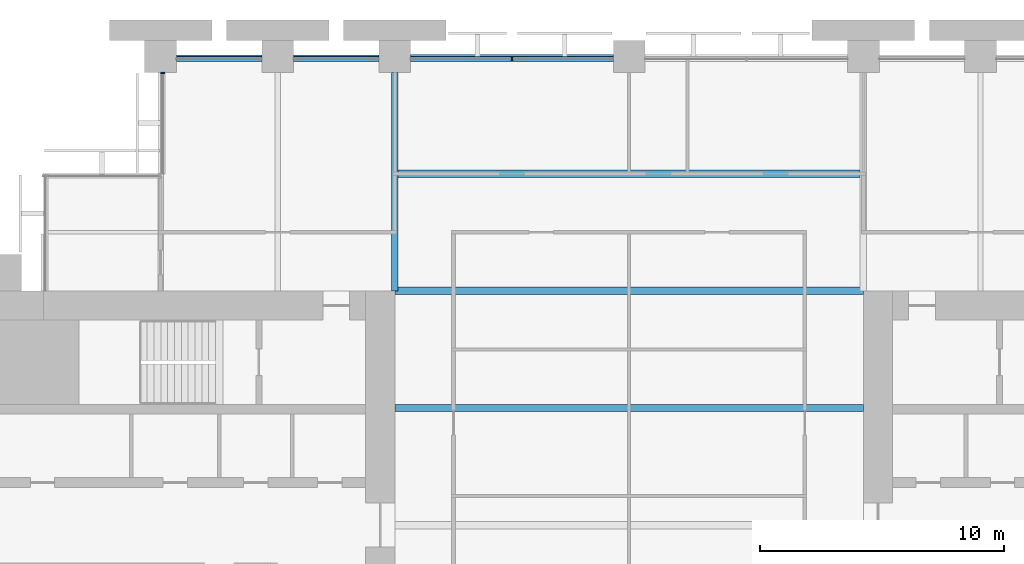
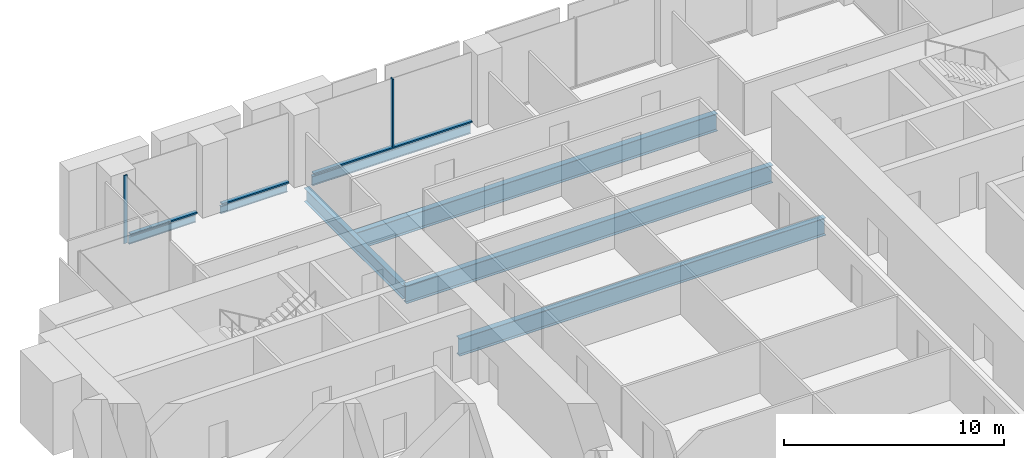
# One storey, part 6 of 14: 7 beams, 5 members, 2 elements without a shape of their own.
"""IFC4 building model written with IfcOpenShell, lengths in metres."""

from ifc_helpers import new_model, si_unit, direction, frame, origin, origin_2d, place, context, subcontext, project, spatial, rectangle, i_section, extrude, material, material_profile, profile_set, type_object, element, aggregate, save


model = new_model("IFC4")

# Units and contexts
model_context = context("Model", 3, precision=1e-05, world=origin(), true_north=direction((0.0, 1.0)))
body_context = subcontext(model_context, "Body", "Model", "MODEL_VIEW")
ifc_project = project(units=[si_unit("LENGTHUNIT", "METRE"), si_unit("AREAUNIT", "SQUARE_METRE"), si_unit("VOLUMEUNIT", "CUBIC_METRE"), si_unit("PLANEANGLEUNIT", "RADIAN"), si_unit("MASSUNIT", "GRAM", prefix="KILO")], contexts=[model_context])

# Site, building, storey
site_placement = place(None, origin())
site = spatial("IfcSite", under=ifc_project, at=site_placement, CompositionType="ELEMENT")
building_placement = place(site_placement, origin())
building = spatial("IfcBuilding", under=site, at=building_placement, Name="Baori Bourse Tower", CompositionType="ELEMENT")
storey_placement = place(building_placement, frame((0.0, 0.0, 55.0)))
storey = spatial("IfcBuildingStorey", under=building, at=storey_placement, Name="L11", CompositionType="ELEMENT", Elevation=55.0)

# Curtain wall, members
ifc_material_1 = material(Name="Pale anodised aluminium", Category="aluminium")
curtain_wall_type_1 = type_object("IfcCurtainWallType", Name="CW1 Curtain wall", PredefinedType="NOTDEFINED", material=ifc_material_1)
curtain_wall_1_placement = place(storey_placement, origin())
curtain_wall_1 = element("IfcCurtainWall", 1, at=curtain_wall_1_placement, inside=storey, type_object=curtain_wall_type_1, Name="Curtain wall CW1 L11 4", PredefinedType="NOTDEFINED")
ifc_material_2 = material(Name="Pale anodised aluminium", Category="aluminium")
ifc_material_profile_1 = material_profile(ifc_material_2, rectangle(XDim=0.199951171875, YDim=0.06005859375, at=origin_2d()), Name="Mullion 60x200")
ifc_profile_set_1 = profile_set([ifc_material_profile_1], Name="Pale anodised aluminium")
member_type_1 = type_object("IfcMemberType", Name="CW1 Curtain wall mullion", PredefinedType="MULLION", material=ifc_profile_set_1)
member_1_placement = place(storey_placement, frame((24.0, 47.89990234375, 0.080078125), z_axis=(0.0, 0.0, 1.0), x_axis=(0.0, -1.0, 0.0)))
member_1 = element("IfcMember", 2, at=member_1_placement, type_object=member_type_1, Name="Curtain wall CW1 mullion", PredefinedType="MULLION", context=body_context, shape_type="SweptSolid", body=[
    extrude(rectangle(XDim=0.199951171875, YDim=0.06005859375, at=origin_2d()), origin(), (0.0, 0.0, 1.0), 3.760009765625),
])
ifc_material_3 = material(Name="Pale anodised aluminium", Category="aluminium")
ifc_material_profile_2 = material_profile(ifc_material_3, rectangle(XDim=0.199951171875, YDim=0.080078125, at=origin_2d()), Name="Transom 80x200")
ifc_profile_set_2 = profile_set([ifc_material_profile_2], Name="Pale anodised aluminium")
member_type_2 = type_object("IfcMemberType", Name="CW1 Curtain wall transom", PredefinedType="USERDEFINED", material=ifc_profile_set_2)
member_2_placement = place(storey_placement, frame((28.14990234375, 47.89990234375, 0.0400390625), z_axis=(-1.0, 0.0, 0.0), x_axis=(0.0, -1.0, 0.0)))
member_2 = element("IfcMember", 3, at=member_2_placement, type_object=member_type_2, Name="Curtain wall CW1 sill rail", ObjectType="TRANSOM", PredefinedType="USERDEFINED", context=body_context, shape_type="SweptSolid", body=[
    extrude(rectangle(XDim=0.199951171875, YDim=0.080078125, at=origin_2d()), origin(), (0.0, 0.0, 1.0), 8.2998046875),
])
member_3_placement = place(storey_placement, frame((18.550048828125, 47.89990234375, 0.0400390625), z_axis=(-1.0, 0.0, 0.0), x_axis=(0.0, -1.0, 0.0)))
member_3 = element("IfcMember", 4, at=member_3_placement, type_object=member_type_2, Name="Curtain wall CW1 sill rail", ObjectType="TRANSOM", PredefinedType="USERDEFINED", context=body_context, shape_type="SweptSolid", body=[
    extrude(rectangle(XDim=0.199951171875, YDim=0.080078125, at=origin_2d()), origin(), (0.0, 0.0, 1.0), 3.5),
])
member_4_placement = place(storey_placement, frame((13.75, 47.89990234375, 0.0400390625), z_axis=(-1.0, 0.0, 0.0), x_axis=(0.0, -1.0, 0.0)))
member_4 = element("IfcMember", 5, at=member_4_placement, type_object=member_type_2, Name="Curtain wall CW1 sill rail", ObjectType="TRANSOM", PredefinedType="USERDEFINED", context=body_context, shape_type="SweptSolid", body=[
    extrude(rectangle(XDim=0.199951171875, YDim=0.080078125, at=origin_2d()), origin(), (0.0, 0.0, 1.0), 3.5),
])
aggregate(curtain_wall_1, [member_2, member_1, member_3, member_4])

# Curtain wall, member
ifc_material_4 = material(Name="Pale anodised aluminium", Category="aluminium")
curtain_wall_type_2 = type_object("IfcCurtainWallType", Name="CW2 Curtain wall", PredefinedType="NOTDEFINED", material=ifc_material_4)
curtain_wall_2_placement = place(storey_placement, origin())
curtain_wall_2 = element("IfcCurtainWall", 6, at=curtain_wall_2_placement, inside=storey, type_object=curtain_wall_type_2, Name="Curtain wall CW2 L11 5", PredefinedType="NOTDEFINED")
ifc_material_5 = material(Name="Pale anodised aluminium", Category="aluminium")
ifc_material_profile_3 = material_profile(ifc_material_5, rectangle(XDim=0.179931640625, YDim=0.054931640625, at=origin_2d()), Name="Mullion 55x180")
ifc_profile_set_3 = profile_set([ifc_material_profile_3], Name="Pale anodised aluminium")
member_type_3 = type_object("IfcMemberType", Name="CW2 Curtain wall mullion", PredefinedType="MULLION", material=ifc_profile_set_3)
member_5_placement = place(storey_placement, frame((9.68994140625, 47.322509765625, 0.070068359375), z_axis=(0.0, 0.0, 1.0), x_axis=(1.0, 0.0, 0.0)))
member_5 = element("IfcMember", 7, at=member_5_placement, type_object=member_type_3, Name="Curtain wall CW2 mullion", PredefinedType="MULLION", context=body_context, shape_type="SweptSolid", body=[
    extrude(rectangle(XDim=0.179931640625, YDim=0.054931640625, at=origin_2d()), origin(), (0.0, 0.0, 1.0), 3.77001953125),
])
aggregate(curtain_wall_2, [member_5])

# Beams
ifc_material_6 = material(Name="Steel A992 Gr 50", Category="steel")
ifc_material_profile_4 = material_profile(ifc_material_6, i_section(OverallWidth=0.140380859375, OverallDepth=0.40380859375, WebThickness=0.007080078125, FlangeThickness=0.01123046875, at=origin_2d()), Name="W16x31")
ifc_profile_set_4 = profile_set([ifc_material_profile_4], Name="Steel A992 Gr 50")
beam_type_1 = type_object("IfcBeamType", Name="Edge beam W16x31", PredefinedType="BEAM", material=ifc_profile_set_4)
for number, where, z_axis, x_axis, name in (
    (8, (10.25, 48.0, -0.36181640625), (1.0, 0.0, 0.0), (0.0, 1.0, 0.0), "Edge beam L11"),
    (9, (15.050048828125, 48.0, -0.36181640625), (1.0, 0.0, 0.0), (0.0, 1.0, 0.0), "Edge beam L11"),
):
    element("IfcBeam", number, at=place(storey_placement, frame(where, z_axis=z_axis, x_axis=x_axis)), inside=storey, type_object=beam_type_1, Name=name, PredefinedType="BEAM", context=body_context, shape_type="SweptSolid", body=[
        extrude(i_section(OverallWidth=0.140380859375, OverallDepth=0.40380859375, WebThickness=0.007080078125, FlangeThickness=0.01123046875, at=origin_2d()), origin(), (0.0, 0.0, 1.0), 3.5),
    ])
ifc_material_7 = material(Name="Steel A992 Gr 50", Category="steel")
ifc_material_profile_5 = material_profile(ifc_material_7, i_section(OverallWidth=0.1650390625, OverallDepth=0.52587890625, WebThickness=0.0087890625, FlangeThickness=0.011474609375, at=origin_2d()), Name="W21x44")
ifc_profile_set_5 = profile_set([ifc_material_profile_5], Name="Steel A992 Gr 50")
beam_type_2 = type_object("IfcBeamType", Name="Edge beam W21x44", PredefinedType="BEAM", material=ifc_profile_set_5)
beam_1_placement = place(storey_placement, frame((19.85009765625, 48.0, -0.4228515625), z_axis=(1.0, 0.0, 0.0), x_axis=(0.0, 1.0, 0.0)))
element("IfcBeam", 10, at=beam_1_placement, inside=storey, type_object=beam_type_2, Name="Edge beam L11", PredefinedType="BEAM", context=body_context, shape_type="SweptSolid", body=[
    extrude(i_section(OverallWidth=0.1650390625, OverallDepth=0.52587890625, WebThickness=0.0087890625, FlangeThickness=0.011474609375, at=origin_2d()), origin(), (0.0, 0.0, 1.0), 8.2998046875),
])
ifc_material_8 = material(Name="Steel A992 Gr 50", Category="steel")
ifc_material_profile_6 = material_profile(ifc_material_8, i_section(OverallWidth=0.2998046875, OverallDepth=0.97021484375, WebThickness=0.01611328125, FlangeThickness=0.02099609375, at=origin_2d()), Name="W40x149")
ifc_profile_set_6 = profile_set([ifc_material_profile_6], Name="Steel A992 Gr 50")
beam_type_3 = type_object("IfcBeamType", Name="Floor beam W40x149", PredefinedType="BEAM", material=ifc_profile_set_6)
for number, where, z_axis, x_axis, name in (
    (11, (19.199951171875, 33.60009765625, -0.64501953125), (1.0, 0.0, 0.0), (0.0, 1.0, 0.0), "Floor beam L11"),
    (12, (19.199951171875, 38.39990234375, -0.64501953125), (1.0, 0.0, 0.0), (0.0, 1.0, 0.0), "Floor beam L11"),
):
    element("IfcBeam", number, at=place(storey_placement, frame(where, z_axis=z_axis, x_axis=x_axis)), inside=storey, type_object=beam_type_3, Name=name, PredefinedType="BEAM", context=body_context, shape_type="SweptSolid", body=[
        extrude(i_section(OverallWidth=0.2998046875, OverallDepth=0.97021484375, WebThickness=0.01611328125, FlangeThickness=0.02099609375, at=origin_2d()), origin(), (0.0, 0.0, 1.0), 19.199951171875),
    ])
beam_2_placement = place(storey_placement, frame((19.333251953125, 43.199951171875, -0.64501953125), z_axis=(1.0, 0.0, 0.0), x_axis=(0.0, 1.0, 0.0)))
element("IfcBeam", 13, at=beam_2_placement, inside=storey, type_object=beam_type_3, Name="Floor beam L11", PredefinedType="BEAM", context=body_context, shape_type="SweptSolid", body=[
    extrude(i_section(OverallWidth=0.2998046875, OverallDepth=0.97021484375, WebThickness=0.01611328125, FlangeThickness=0.02099609375, at=origin_2d()), origin(), (0.0, 0.0, 1.0), 18.933349609375),
])
ifc_material_9 = material(Name="Steel A992 Gr 50", Category="steel")
ifc_material_profile_7 = material_profile(ifc_material_9, i_section(OverallWidth=0.2666015625, OverallDepth=0.7568359375, WebThickness=0.013916015625, FlangeThickness=0.019287109375, at=origin_2d()), Name="W30x108")
ifc_profile_set_7 = profile_set([ifc_material_profile_7], Name="Steel A992 Gr 50")
beam_type_4 = type_object("IfcBeamType", Name="Girder W30x108", PredefinedType="BEAM", material=ifc_profile_set_7)
beam_3_placement = place(storey_placement, frame((19.199951171875, 38.39990234375, -0.53857421875), z_axis=(0.0, 1.0, 0.0), x_axis=(-1.0, 0.0, 0.0)))
element("IfcBeam", 14, at=beam_3_placement, inside=storey, type_object=beam_type_4, Name="Girder L11", PredefinedType="BEAM", context=body_context, shape_type="SweptSolid", body=[
    extrude(i_section(OverallWidth=0.2666015625, OverallDepth=0.7568359375, WebThickness=0.013916015625, FlangeThickness=0.019287109375, at=origin_2d()), origin(), (0.0, 0.0, 1.0), 8.9501953125),
])

save(model, "model.ifc")
